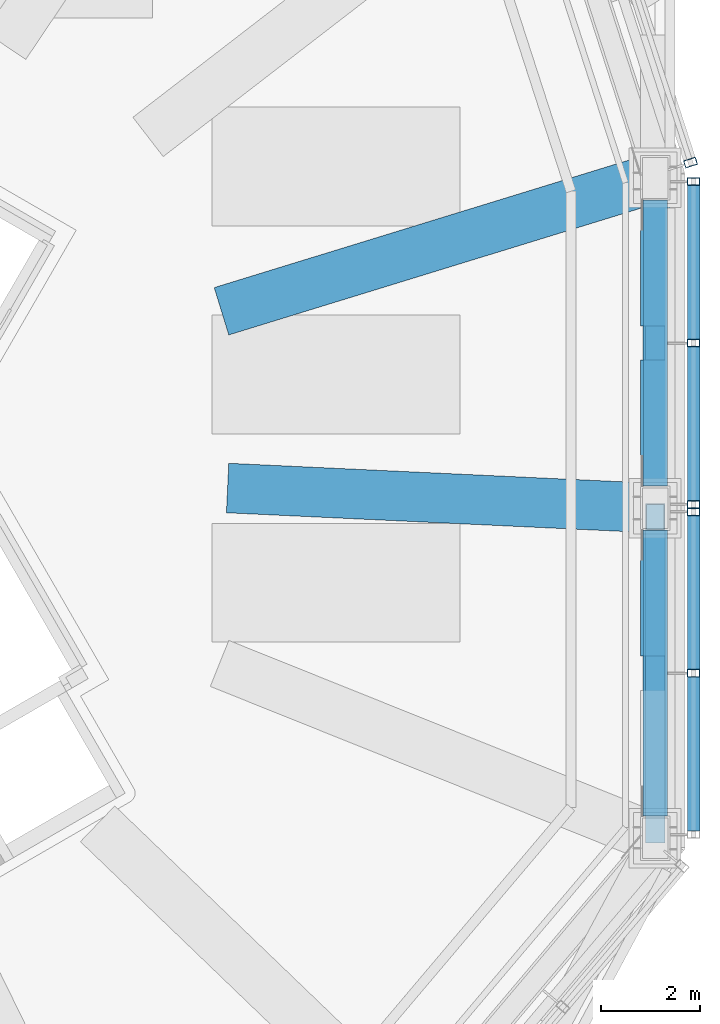
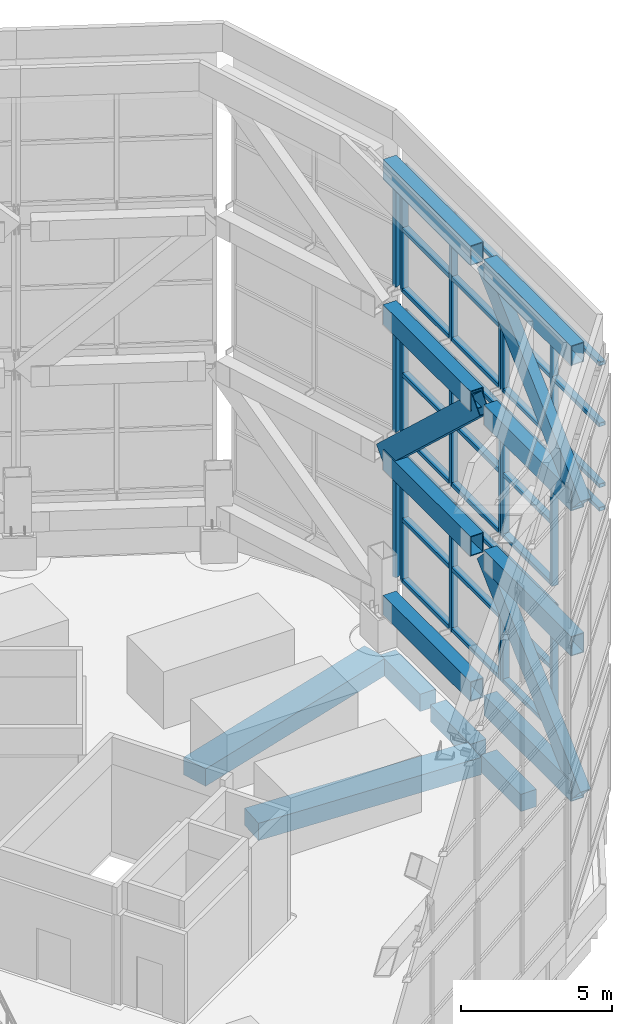
# One storey, part 10 of 46: 60 members, 5 beams, 9 elements without a shape of their own.
"""IFC4 building model written with IfcOpenShell, lengths in metres."""

from ifc_helpers import new_model, si_unit, direction, frame, origin, origin_2d, place, context, subcontext, project, spatial, rectangle, hollow_rectangle, extrude, material, material_profile, profile_set, type_object, element, aggregate, save


model = new_model("IFC4")

# Units and contexts
model_context = context("Model", 3, precision=1e-05, world=origin(), true_north=direction((0.0, 1.0)))
body_context = subcontext(model_context, "Body", "Model", "MODEL_VIEW")
ifc_project = project(units=[si_unit("LENGTHUNIT", "METRE"), si_unit("AREAUNIT", "SQUARE_METRE"), si_unit("VOLUMEUNIT", "CUBIC_METRE"), si_unit("PLANEANGLEUNIT", "RADIAN"), si_unit("MASSUNIT", "GRAM", prefix="KILO")], contexts=[model_context])

# Site, building, storey
site_placement = place(None, origin())
site = spatial("IfcSite", under=ifc_project, at=site_placement, CompositionType="ELEMENT")
building_placement = place(site_placement, origin())
building = spatial("IfcBuilding", under=site, at=building_placement, Name="Vanh Sen Convention Tower", CompositionType="ELEMENT")
storey_placement = place(building_placement, frame((0.0, 0.0, 305.0)))
storey = spatial("IfcBuildingStorey", under=building, at=storey_placement, Name="Roof level", CompositionType="ELEMENT", Elevation=305.0)

# Members
ifc_material_1 = material(Name="Steel S460", Category="steel")
ifc_material_profile_1 = material_profile(ifc_material_1, hollow_rectangle(XDim=0.39990234375, YDim=0.800048828125, WallThickness=0.02490234375, at=origin_2d()), Name="BOX 800X400X25")
ifc_profile_set_1 = profile_set([ifc_material_profile_1], Name="Steel S460")
member_type_1 = type_object("IfcMemberType", Name="Crown brace BOX 800X400X25", PredefinedType="BRACE", material=ifc_profile_set_1)
for number, where, z_axis, x_axis, name in (
    (1, (18.800048828125, -7.3662109375, 1.7451171875), (0.0, 0.731861793928, 0.681453090527), (-1.0, 0.0, 0.0), "CROWN FRAME brace tier 1 span 01"),
    (2, (18.800048828125, -0.702880859375, 13.481689453125), (0.0, 0.731847654389, -0.681468275685), (-1.0, 0.0, 0.0), "CROWN FRAME brace tier 2 span 02"),
    (3, (18.800048828125, -7.3662109375, 13.481689453125), (0.0, 0.731847654389, 0.681468275685), (-1.0, 0.0, 0.0), "CROWN FRAME brace tier 3 span 01"),
):
    element("IfcMember", number, at=place(storey_placement, frame(where, z_axis=z_axis, x_axis=x_axis)), inside=storey, type_object=member_type_1, Name=name, PredefinedType="BRACE", context=body_context, shape_type="SweptSolid", body=[
        extrude(hollow_rectangle(XDim=0.39990234375, YDim=0.800048828125, WallThickness=0.02490234375, at=origin_2d()), origin(), (0.0, 0.0, 1.0), 8.611328125),
    ])
ifc_material_profile_2 = material_profile(ifc_material_1, hollow_rectangle(XDim=0.5, YDim=0.800048828125, WallThickness=0.030029296875, at=origin_2d()), Name="BOX 800X500X30")
ifc_profile_set_2 = profile_set([ifc_material_profile_2], Name="Steel S460")
member_type_2 = type_object("IfcMemberType", Name="Crown ring beam BOX 800X500X30", PredefinedType="CHORD", material=ifc_profile_set_2)
for number, where, z_axis, x_axis, name in (
    (4, (18.800048828125, -7.101806640625, 1.7451171875), (0.0, 1.0, 0.0), (-1.0, 0.0, 0.0), "CROWN FRAME ring beam 1 span 01"),
    (5, (18.800048828125, -0.4384765625, 1.7451171875), (0.0, 1.0, 0.0), (-1.0, 0.0, 0.0), "CROWN FRAME ring beam 1 span 02"),
    (6, (18.800048828125, -7.101806640625, 7.61328125), (0.0, 1.0, 0.0), (-1.0, 0.0, 0.0), "CROWN FRAME ring beam 2 span 01"),
    (7, (18.800048828125, -0.4384765625, 7.61328125), (0.0, 1.0, 0.0), (-1.0, 0.0, 0.0), "CROWN FRAME ring beam 2 span 02"),
    (8, (18.800048828125, -7.101806640625, 13.481689453125), (0.0, 1.0, 0.0), (-1.0, 0.0, 0.0), "CROWN FRAME ring beam 3 span 01"),
    (9, (18.800048828125, -0.4384765625, 13.481689453125), (0.0, 1.0, 0.0), (-1.0, 0.0, 0.0), "CROWN FRAME ring beam 3 span 02"),
    (10, (18.800048828125, -7.101806640625, 19.35009765625), (0.0, 1.0, 0.0), (-1.0, 0.0, 0.0), "CROWN FRAME ring beam 4 span 01"),
    (11, (18.800048828125, -0.4384765625, 19.35009765625), (0.0, 1.0, 0.0), (-1.0, 0.0, 0.0), "CROWN FRAME ring beam 4 span 02"),
):
    element("IfcMember", number, at=place(storey_placement, frame(where, z_axis=z_axis, x_axis=x_axis)), inside=storey, type_object=member_type_2, Name=name, PredefinedType="CHORD", context=body_context, shape_type="SweptSolid", body=[
        extrude(hollow_rectangle(XDim=0.5, YDim=0.800048828125, WallThickness=0.030029296875, at=origin_2d()), origin(), (0.0, 0.0, 1.0), 5.7734375),
    ])

# Curtain wall, members
ifc_material_2 = material(Name="Concrete C60/75", Category="concrete")
curtain_wall_type = type_object("IfcCurtainWallType", Name="Crown screen", PredefinedType="NOTDEFINED", material=ifc_material_2)
curtain_wall_1_placement = place(storey_placement, origin())
curtain_wall_1 = element("IfcCurtainWall", 12, at=curtain_wall_1_placement, inside=storey, type_object=curtain_wall_type, Name="CROWN SCREEN 01 tier 1", PredefinedType="NOTDEFINED")
ifc_material_3 = material(Name="Steel S355", Category="steel")
ifc_material_profile_3 = material_profile(ifc_material_3, hollow_rectangle(XDim=0.25, YDim=0.14990234375, WallThickness=0.008056640625, at=origin_2d()), Name="RHS 250X150X8")
ifc_profile_set_3 = profile_set([ifc_material_profile_3], Name="Steel S355")
member_type_3 = type_object("IfcMemberType", Name="Crown screen mullion RHS 250X150X8", PredefinedType="MULLION", material=ifc_profile_set_3)
member_1_placement = place(storey_placement, frame((19.574951171875, -4.215087890625, 2.14501953125), z_axis=(0.0, 0.0, 1.0), x_axis=(-1.0, 0.0, 0.0)))
member_1 = element("IfcMember", 13, at=member_1_placement, type_object=member_type_3, Name="CROWN SCREEN6 mullion 2", PredefinedType="MULLION", context=body_context, shape_type="SweptSolid", body=[
    extrude(hollow_rectangle(XDim=0.25, YDim=0.14990234375, WallThickness=0.008056640625, at=origin_2d()), origin(), (0.0, 0.0, 1.0), 5.068359375),
])
member_2_placement = place(storey_placement, frame((19.574951171875, -0.95849609375, 2.14501953125), z_axis=(0.0, 0.0, 1.0), x_axis=(-1.0, 0.0, 0.0)))
member_2 = element("IfcMember", 14, at=member_2_placement, type_object=member_type_3, Name="CROWN SCREEN6 mullion 3", PredefinedType="MULLION", context=body_context, shape_type="SweptSolid", body=[
    extrude(hollow_rectangle(XDim=0.25, YDim=0.14990234375, WallThickness=0.008056640625, at=origin_2d()), origin(), (0.0, 0.0, 1.0), 5.068359375),
])

curtain_wall_2_placement = place(storey_placement, origin())
curtain_wall_2 = element("IfcCurtainWall", 15, at=curtain_wall_2_placement, inside=storey, type_object=curtain_wall_type, Name="CROWN SCREEN 01 tier 2", PredefinedType="NOTDEFINED")
member_3_placement = place(storey_placement, frame((19.574951171875, -4.215087890625, 8.01318359375), z_axis=(0.0, 0.0, 1.0), x_axis=(-1.0, 0.0, 0.0)))
member_3 = element("IfcMember", 16, at=member_3_placement, type_object=member_type_3, Name="CROWN SCREEN6 mullion 2", PredefinedType="MULLION", context=body_context, shape_type="SweptSolid", body=[
    extrude(hollow_rectangle(XDim=0.25, YDim=0.14990234375, WallThickness=0.008056640625, at=origin_2d()), origin(), (0.0, 0.0, 1.0), 5.068603515625),
])
member_4_placement = place(storey_placement, frame((19.574951171875, -0.95849609375, 8.01318359375), z_axis=(0.0, 0.0, 1.0), x_axis=(-1.0, 0.0, 0.0)))
member_4 = element("IfcMember", 17, at=member_4_placement, type_object=member_type_3, Name="CROWN SCREEN6 mullion 3", PredefinedType="MULLION", context=body_context, shape_type="SweptSolid", body=[
    extrude(hollow_rectangle(XDim=0.25, YDim=0.14990234375, WallThickness=0.008056640625, at=origin_2d()), origin(), (0.0, 0.0, 1.0), 5.068603515625),
])

curtain_wall_3_placement = place(storey_placement, origin())
curtain_wall_3 = element("IfcCurtainWall", 18, at=curtain_wall_3_placement, inside=storey, type_object=curtain_wall_type, Name="CROWN SCREEN 01 tier 3", PredefinedType="NOTDEFINED")
member_5_placement = place(storey_placement, frame((19.574951171875, -4.215087890625, 13.881591796875), z_axis=(0.0, 0.0, 1.0), x_axis=(-1.0, 0.0, 0.0)))
member_5 = element("IfcMember", 19, at=member_5_placement, type_object=member_type_3, Name="CROWN SCREEN6 mullion 2", PredefinedType="MULLION", context=body_context, shape_type="SweptSolid", body=[
    extrude(hollow_rectangle(XDim=0.25, YDim=0.14990234375, WallThickness=0.008056640625, at=origin_2d()), origin(), (0.0, 0.0, 1.0), 5.068359375),
])
member_6_placement = place(storey_placement, frame((19.574951171875, -0.95849609375, 13.881591796875), z_axis=(0.0, 0.0, 1.0), x_axis=(-1.0, 0.0, 0.0)))
member_6 = element("IfcMember", 20, at=member_6_placement, type_object=member_type_3, Name="CROWN SCREEN6 mullion 3", PredefinedType="MULLION", context=body_context, shape_type="SweptSolid", body=[
    extrude(hollow_rectangle(XDim=0.25, YDim=0.14990234375, WallThickness=0.008056640625, at=origin_2d()), origin(), (0.0, 0.0, 1.0), 5.068359375),
])

curtain_wall_4_placement = place(storey_placement, origin())
curtain_wall_4 = element("IfcCurtainWall", 21, at=curtain_wall_4_placement, inside=storey, type_object=curtain_wall_type, Name="CROWN SCREEN 02 tier 1", PredefinedType="NOTDEFINED")
member_7_placement = place(storey_placement, frame((19.574951171875, -0.808349609375, 2.14501953125), z_axis=(0.0, 0.0, 1.0), x_axis=(-1.0, 0.0, 0.0)))
member_7 = element("IfcMember", 22, at=member_7_placement, type_object=member_type_3, Name="CROWN SCREEN6 mullion 1", PredefinedType="MULLION", context=body_context, shape_type="SweptSolid", body=[
    extrude(hollow_rectangle(XDim=0.25, YDim=0.14990234375, WallThickness=0.008056640625, at=origin_2d()), origin(), (0.0, 0.0, 1.0), 5.068359375),
])
member_8_placement = place(storey_placement, frame((19.574951171875, 2.4482421875, 2.14501953125), z_axis=(0.0, 0.0, 1.0), x_axis=(-1.0, 0.0, 0.0)))
member_8 = element("IfcMember", 23, at=member_8_placement, type_object=member_type_3, Name="CROWN SCREEN6 mullion 2", PredefinedType="MULLION", context=body_context, shape_type="SweptSolid", body=[
    extrude(hollow_rectangle(XDim=0.25, YDim=0.14990234375, WallThickness=0.008056640625, at=origin_2d()), origin(), (0.0, 0.0, 1.0), 5.068359375),
])
member_9_placement = place(storey_placement, frame((19.574951171875, 5.704833984375, 2.14501953125), z_axis=(0.0, 0.0, 1.0), x_axis=(-1.0, 0.0, 0.0)))
member_9 = element("IfcMember", 24, at=member_9_placement, type_object=member_type_3, Name="CROWN SCREEN6 mullion 3", PredefinedType="MULLION", context=body_context, shape_type="SweptSolid", body=[
    extrude(hollow_rectangle(XDim=0.25, YDim=0.14990234375, WallThickness=0.008056640625, at=origin_2d()), origin(), (0.0, 0.0, 1.0), 5.068359375),
])

curtain_wall_5_placement = place(storey_placement, origin())
curtain_wall_5 = element("IfcCurtainWall", 25, at=curtain_wall_5_placement, inside=storey, type_object=curtain_wall_type, Name="CROWN SCREEN 02 tier 2", PredefinedType="NOTDEFINED")
member_10_placement = place(storey_placement, frame((19.574951171875, -0.808349609375, 8.01318359375), z_axis=(0.0, 0.0, 1.0), x_axis=(-1.0, 0.0, 0.0)))
member_10 = element("IfcMember", 26, at=member_10_placement, type_object=member_type_3, Name="CROWN SCREEN6 mullion 1", PredefinedType="MULLION", context=body_context, shape_type="SweptSolid", body=[
    extrude(hollow_rectangle(XDim=0.25, YDim=0.14990234375, WallThickness=0.008056640625, at=origin_2d()), origin(), (0.0, 0.0, 1.0), 5.068603515625),
])
member_11_placement = place(storey_placement, frame((19.574951171875, 2.4482421875, 8.01318359375), z_axis=(0.0, 0.0, 1.0), x_axis=(-1.0, 0.0, 0.0)))
member_11 = element("IfcMember", 27, at=member_11_placement, type_object=member_type_3, Name="CROWN SCREEN6 mullion 2", PredefinedType="MULLION", context=body_context, shape_type="SweptSolid", body=[
    extrude(hollow_rectangle(XDim=0.25, YDim=0.14990234375, WallThickness=0.008056640625, at=origin_2d()), origin(), (0.0, 0.0, 1.0), 5.068603515625),
])
member_12_placement = place(storey_placement, frame((19.574951171875, 5.704833984375, 8.01318359375), z_axis=(0.0, 0.0, 1.0), x_axis=(-1.0, 0.0, 0.0)))
member_12 = element("IfcMember", 28, at=member_12_placement, type_object=member_type_3, Name="CROWN SCREEN6 mullion 3", PredefinedType="MULLION", context=body_context, shape_type="SweptSolid", body=[
    extrude(hollow_rectangle(XDim=0.25, YDim=0.14990234375, WallThickness=0.008056640625, at=origin_2d()), origin(), (0.0, 0.0, 1.0), 5.068603515625),
])

curtain_wall_6_placement = place(storey_placement, origin())
curtain_wall_6 = element("IfcCurtainWall", 29, at=curtain_wall_6_placement, inside=storey, type_object=curtain_wall_type, Name="CROWN SCREEN 02 tier 3", PredefinedType="NOTDEFINED")
member_13_placement = place(storey_placement, frame((19.574951171875, -0.808349609375, 13.881591796875), z_axis=(0.0, 0.0, 1.0), x_axis=(-1.0, 0.0, 0.0)))
member_13 = element("IfcMember", 30, at=member_13_placement, type_object=member_type_3, Name="CROWN SCREEN6 mullion 1", PredefinedType="MULLION", context=body_context, shape_type="SweptSolid", body=[
    extrude(hollow_rectangle(XDim=0.25, YDim=0.14990234375, WallThickness=0.008056640625, at=origin_2d()), origin(), (0.0, 0.0, 1.0), 5.068359375),
])
member_14_placement = place(storey_placement, frame((19.574951171875, 2.4482421875, 13.881591796875), z_axis=(0.0, 0.0, 1.0), x_axis=(-1.0, 0.0, 0.0)))
member_14 = element("IfcMember", 31, at=member_14_placement, type_object=member_type_3, Name="CROWN SCREEN6 mullion 2", PredefinedType="MULLION", context=body_context, shape_type="SweptSolid", body=[
    extrude(hollow_rectangle(XDim=0.25, YDim=0.14990234375, WallThickness=0.008056640625, at=origin_2d()), origin(), (0.0, 0.0, 1.0), 5.068359375),
])
member_15_placement = place(storey_placement, frame((19.574951171875, 5.704833984375, 13.881591796875), z_axis=(0.0, 0.0, 1.0), x_axis=(-1.0, 0.0, 0.0)))
member_15 = element("IfcMember", 32, at=member_15_placement, type_object=member_type_3, Name="CROWN SCREEN6 mullion 3", PredefinedType="MULLION", context=body_context, shape_type="SweptSolid", body=[
    extrude(hollow_rectangle(XDim=0.25, YDim=0.14990234375, WallThickness=0.008056640625, at=origin_2d()), origin(), (0.0, 0.0, 1.0), 5.068359375),
])

# Curtain wall, member
curtain_wall_7_placement = place(storey_placement, origin())
curtain_wall_7 = element("IfcCurtainWall", 33, at=curtain_wall_7_placement, inside=storey, type_object=curtain_wall_type, Name="CROWN SCREEN 03 tier 1", PredefinedType="NOTDEFINED")
member_16_placement = place(storey_placement, frame((19.514404296875, 6.08984375, 2.14501953125), z_axis=(0.0, 0.0, 1.0), x_axis=(-0.951472815638, -0.307732807972, 0.0)))
member_16 = element("IfcMember", 34, at=member_16_placement, type_object=member_type_3, Name="CROWN SCREEN6 mullion 1", PredefinedType="MULLION", context=body_context, shape_type="SweptSolid", body=[
    extrude(hollow_rectangle(XDim=0.25, YDim=0.14990234375, WallThickness=0.008056640625, at=origin_2d()), origin(), (0.0, 0.0, 1.0), 5.068359375),
])
aggregate(curtain_wall_7, [member_16])

curtain_wall_8_placement = place(storey_placement, origin())
curtain_wall_8 = element("IfcCurtainWall", 35, at=curtain_wall_8_placement, inside=storey, type_object=curtain_wall_type, Name="CROWN SCREEN 03 tier 2", PredefinedType="NOTDEFINED")
member_17_placement = place(storey_placement, frame((19.514404296875, 6.08984375, 8.01318359375), z_axis=(0.0, 0.0, 1.0), x_axis=(-0.951472815638, -0.307732807972, 0.0)))
member_17 = element("IfcMember", 36, at=member_17_placement, type_object=member_type_3, Name="CROWN SCREEN6 mullion 1", PredefinedType="MULLION", context=body_context, shape_type="SweptSolid", body=[
    extrude(hollow_rectangle(XDim=0.25, YDim=0.14990234375, WallThickness=0.008056640625, at=origin_2d()), origin(), (0.0, 0.0, 1.0), 5.068603515625),
])
aggregate(curtain_wall_8, [member_17])

curtain_wall_9_placement = place(storey_placement, origin())
curtain_wall_9 = element("IfcCurtainWall", 37, at=curtain_wall_9_placement, inside=storey, type_object=curtain_wall_type, Name="CROWN SCREEN 03 tier 3", PredefinedType="NOTDEFINED")
member_18_placement = place(storey_placement, frame((19.514404296875, 6.08984375, 13.881591796875), z_axis=(0.0, 0.0, 1.0), x_axis=(-0.951472815638, -0.307732807972, 0.0)))
member_18 = element("IfcMember", 38, at=member_18_placement, type_object=member_type_3, Name="CROWN SCREEN6 mullion 1", PredefinedType="MULLION", context=body_context, shape_type="SweptSolid", body=[
    extrude(hollow_rectangle(XDim=0.25, YDim=0.14990234375, WallThickness=0.008056640625, at=origin_2d()), origin(), (0.0, 0.0, 1.0), 5.068359375),
])
aggregate(curtain_wall_9, [member_18])

# Member
ifc_material_profile_4 = material_profile(ifc_material_3, hollow_rectangle(XDim=0.25, YDim=0.14990234375, WallThickness=0.008056640625, at=origin_2d()), Name="RHS 250X150X8")
ifc_profile_set_4 = profile_set([ifc_material_profile_4], Name="Steel S355")
member_type_4 = type_object("IfcMemberType", Name="Crown screen transom RHS 250X150X8", PredefinedType="USERDEFINED", material=ifc_profile_set_4)
member_19_placement = place(storey_placement, frame((19.574951171875, -4.14013671875, 2.219970703125), z_axis=(0.0, 1.0, 0.0), x_axis=(-1.0, 0.0, 0.0)))
member_19 = element("IfcMember", 39, at=member_19_placement, type_object=member_type_4, Name="CROWN SCREEN6 transom 2.1", ObjectType="TRANSOM", PredefinedType="USERDEFINED", context=body_context, shape_type="SweptSolid", body=[
    extrude(hollow_rectangle(XDim=0.25, YDim=0.14990234375, WallThickness=0.008056640625, at=origin_2d()), origin(), (0.0, 0.0, 1.0), 3.106689453125),
])

member_20_placement = place(storey_placement, frame((19.574951171875, -4.14013671875, 4.67919921875), z_axis=(0.0, 1.0, 0.0), x_axis=(-1.0, 0.0, 0.0)))
member_20 = element("IfcMember", 40, at=member_20_placement, type_object=member_type_4, Name="CROWN SCREEN6 transom 2.2", ObjectType="TRANSOM", PredefinedType="USERDEFINED", context=body_context, shape_type="SweptSolid", body=[
    extrude(hollow_rectangle(XDim=0.25, YDim=0.14990234375, WallThickness=0.008056640625, at=origin_2d()), origin(), (0.0, 0.0, 1.0), 3.106689453125),
])

member_21_placement = place(storey_placement, frame((19.574951171875, -4.14013671875, 7.13818359375), z_axis=(0.0, 1.0, 0.0), x_axis=(-1.0, 0.0, 0.0)))
member_21 = element("IfcMember", 41, at=member_21_placement, type_object=member_type_4, Name="CROWN SCREEN6 transom 2.3", ObjectType="TRANSOM", PredefinedType="USERDEFINED", context=body_context, shape_type="SweptSolid", body=[
    extrude(hollow_rectangle(XDim=0.25, YDim=0.14990234375, WallThickness=0.008056640625, at=origin_2d()), origin(), (0.0, 0.0, 1.0), 3.106689453125),
])

aggregate(curtain_wall_1, [member_1, member_2, member_19, member_20, member_21])

member_22_placement = place(storey_placement, frame((19.574951171875, -7.396728515625, 13.006591796875), z_axis=(0.0, 1.0, 0.0), x_axis=(-1.0, 0.0, 0.0)))
member_22 = element("IfcMember", 42, at=member_22_placement, type_object=member_type_4, Name="CROWN SCREEN6 transom 1.3", ObjectType="TRANSOM", PredefinedType="USERDEFINED", context=body_context, shape_type="SweptSolid", body=[
    extrude(hollow_rectangle(XDim=0.25, YDim=0.14990234375, WallThickness=0.008056640625, at=origin_2d()), origin(), (0.0, 0.0, 1.0), 3.106689453125),
])

member_23_placement = place(storey_placement, frame((19.574951171875, -4.14013671875, 8.08837890625), z_axis=(0.0, 1.0, 0.0), x_axis=(-1.0, 0.0, 0.0)))
member_23 = element("IfcMember", 43, at=member_23_placement, type_object=member_type_4, Name="CROWN SCREEN6 transom 2.1", ObjectType="TRANSOM", PredefinedType="USERDEFINED", context=body_context, shape_type="SweptSolid", body=[
    extrude(hollow_rectangle(XDim=0.25, YDim=0.14990234375, WallThickness=0.008056640625, at=origin_2d()), origin(), (0.0, 0.0, 1.0), 3.106689453125),
])

member_24_placement = place(storey_placement, frame((19.574951171875, -4.14013671875, 10.547607421875), z_axis=(0.0, 1.0, 0.0), x_axis=(-1.0, 0.0, 0.0)))
member_24 = element("IfcMember", 44, at=member_24_placement, type_object=member_type_4, Name="CROWN SCREEN6 transom 2.2", ObjectType="TRANSOM", PredefinedType="USERDEFINED", context=body_context, shape_type="SweptSolid", body=[
    extrude(hollow_rectangle(XDim=0.25, YDim=0.14990234375, WallThickness=0.008056640625, at=origin_2d()), origin(), (0.0, 0.0, 1.0), 3.106689453125),
])

member_25_placement = place(storey_placement, frame((19.574951171875, -4.14013671875, 13.006591796875), z_axis=(0.0, 1.0, 0.0), x_axis=(-1.0, 0.0, 0.0)))
member_25 = element("IfcMember", 45, at=member_25_placement, type_object=member_type_4, Name="CROWN SCREEN6 transom 2.3", ObjectType="TRANSOM", PredefinedType="USERDEFINED", context=body_context, shape_type="SweptSolid", body=[
    extrude(hollow_rectangle(XDim=0.25, YDim=0.14990234375, WallThickness=0.008056640625, at=origin_2d()), origin(), (0.0, 0.0, 1.0), 3.106689453125),
])

aggregate(curtain_wall_2, [member_3, member_4, member_22, member_23, member_24, member_25])

member_26_placement = place(storey_placement, frame((19.574951171875, -7.396728515625, 13.956787109375), z_axis=(0.0, 1.0, 0.0), x_axis=(-1.0, 0.0, 0.0)))
member_26 = element("IfcMember", 46, at=member_26_placement, type_object=member_type_4, Name="CROWN SCREEN6 transom 1.1", ObjectType="TRANSOM", PredefinedType="USERDEFINED", context=body_context, shape_type="SweptSolid", body=[
    extrude(hollow_rectangle(XDim=0.25, YDim=0.14990234375, WallThickness=0.008056640625, at=origin_2d()), origin(), (0.0, 0.0, 1.0), 3.106689453125),
])

member_27_placement = place(storey_placement, frame((19.574951171875, -7.396728515625, 16.415771484375), z_axis=(0.0, 1.0, 0.0), x_axis=(-1.0, 0.0, 0.0)))
member_27 = element("IfcMember", 47, at=member_27_placement, type_object=member_type_4, Name="CROWN SCREEN6 transom 1.2", ObjectType="TRANSOM", PredefinedType="USERDEFINED", context=body_context, shape_type="SweptSolid", body=[
    extrude(hollow_rectangle(XDim=0.25, YDim=0.14990234375, WallThickness=0.008056640625, at=origin_2d()), origin(), (0.0, 0.0, 1.0), 3.106689453125),
])

member_28_placement = place(storey_placement, frame((19.574951171875, -7.396728515625, 18.875), z_axis=(0.0, 1.0, 0.0), x_axis=(-1.0, 0.0, 0.0)))
member_28 = element("IfcMember", 48, at=member_28_placement, type_object=member_type_4, Name="CROWN SCREEN6 transom 1.3", ObjectType="TRANSOM", PredefinedType="USERDEFINED", context=body_context, shape_type="SweptSolid", body=[
    extrude(hollow_rectangle(XDim=0.25, YDim=0.14990234375, WallThickness=0.008056640625, at=origin_2d()), origin(), (0.0, 0.0, 1.0), 3.106689453125),
])

member_29_placement = place(storey_placement, frame((19.574951171875, -4.14013671875, 13.956787109375), z_axis=(0.0, 1.0, 0.0), x_axis=(-1.0, 0.0, 0.0)))
member_29 = element("IfcMember", 49, at=member_29_placement, type_object=member_type_4, Name="CROWN SCREEN6 transom 2.1", ObjectType="TRANSOM", PredefinedType="USERDEFINED", context=body_context, shape_type="SweptSolid", body=[
    extrude(hollow_rectangle(XDim=0.25, YDim=0.14990234375, WallThickness=0.008056640625, at=origin_2d()), origin(), (0.0, 0.0, 1.0), 3.106689453125),
])

member_30_placement = place(storey_placement, frame((19.574951171875, -4.14013671875, 16.415771484375), z_axis=(0.0, 1.0, 0.0), x_axis=(-1.0, 0.0, 0.0)))
member_30 = element("IfcMember", 50, at=member_30_placement, type_object=member_type_4, Name="CROWN SCREEN6 transom 2.2", ObjectType="TRANSOM", PredefinedType="USERDEFINED", context=body_context, shape_type="SweptSolid", body=[
    extrude(hollow_rectangle(XDim=0.25, YDim=0.14990234375, WallThickness=0.008056640625, at=origin_2d()), origin(), (0.0, 0.0, 1.0), 3.106689453125),
])

member_31_placement = place(storey_placement, frame((19.574951171875, -4.14013671875, 18.875), z_axis=(0.0, 1.0, 0.0), x_axis=(-1.0, 0.0, 0.0)))
member_31 = element("IfcMember", 51, at=member_31_placement, type_object=member_type_4, Name="CROWN SCREEN6 transom 2.3", ObjectType="TRANSOM", PredefinedType="USERDEFINED", context=body_context, shape_type="SweptSolid", body=[
    extrude(hollow_rectangle(XDim=0.25, YDim=0.14990234375, WallThickness=0.008056640625, at=origin_2d()), origin(), (0.0, 0.0, 1.0), 3.106689453125),
])

aggregate(curtain_wall_3, [member_5, member_6, member_26, member_27, member_28, member_29, member_30, member_31])

member_32_placement = place(storey_placement, frame((19.574951171875, -0.7333984375, 2.219970703125), z_axis=(0.0, 1.0, 0.0), x_axis=(-1.0, 0.0, 0.0)))
member_32 = element("IfcMember", 52, at=member_32_placement, type_object=member_type_4, Name="CROWN SCREEN6 transom 1.1", ObjectType="TRANSOM", PredefinedType="USERDEFINED", context=body_context, shape_type="SweptSolid", body=[
    extrude(hollow_rectangle(XDim=0.25, YDim=0.14990234375, WallThickness=0.008056640625, at=origin_2d()), origin(), (0.0, 0.0, 1.0), 3.106689453125),
])

member_33_placement = place(storey_placement, frame((19.574951171875, -0.7333984375, 4.67919921875), z_axis=(0.0, 1.0, 0.0), x_axis=(-1.0, 0.0, 0.0)))
member_33 = element("IfcMember", 53, at=member_33_placement, type_object=member_type_4, Name="CROWN SCREEN6 transom 1.2", ObjectType="TRANSOM", PredefinedType="USERDEFINED", context=body_context, shape_type="SweptSolid", body=[
    extrude(hollow_rectangle(XDim=0.25, YDim=0.14990234375, WallThickness=0.008056640625, at=origin_2d()), origin(), (0.0, 0.0, 1.0), 3.106689453125),
])

member_34_placement = place(storey_placement, frame((19.574951171875, -0.7333984375, 7.13818359375), z_axis=(0.0, 1.0, 0.0), x_axis=(-1.0, 0.0, 0.0)))
member_34 = element("IfcMember", 54, at=member_34_placement, type_object=member_type_4, Name="CROWN SCREEN6 transom 1.3", ObjectType="TRANSOM", PredefinedType="USERDEFINED", context=body_context, shape_type="SweptSolid", body=[
    extrude(hollow_rectangle(XDim=0.25, YDim=0.14990234375, WallThickness=0.008056640625, at=origin_2d()), origin(), (0.0, 0.0, 1.0), 3.106689453125),
])

member_35_placement = place(storey_placement, frame((19.574951171875, 2.523193359375, 2.219970703125), z_axis=(0.0, 1.0, 0.0), x_axis=(-1.0, 0.0, 0.0)))
member_35 = element("IfcMember", 55, at=member_35_placement, type_object=member_type_4, Name="CROWN SCREEN6 transom 2.1", ObjectType="TRANSOM", PredefinedType="USERDEFINED", context=body_context, shape_type="SweptSolid", body=[
    extrude(hollow_rectangle(XDim=0.25, YDim=0.14990234375, WallThickness=0.008056640625, at=origin_2d()), origin(), (0.0, 0.0, 1.0), 3.106689453125),
])

member_36_placement = place(storey_placement, frame((19.574951171875, 2.523193359375, 4.67919921875), z_axis=(0.0, 1.0, 0.0), x_axis=(-1.0, 0.0, 0.0)))
member_36 = element("IfcMember", 56, at=member_36_placement, type_object=member_type_4, Name="CROWN SCREEN6 transom 2.2", ObjectType="TRANSOM", PredefinedType="USERDEFINED", context=body_context, shape_type="SweptSolid", body=[
    extrude(hollow_rectangle(XDim=0.25, YDim=0.14990234375, WallThickness=0.008056640625, at=origin_2d()), origin(), (0.0, 0.0, 1.0), 3.106689453125),
])

member_37_placement = place(storey_placement, frame((19.574951171875, 2.523193359375, 7.13818359375), z_axis=(0.0, 1.0, 0.0), x_axis=(-1.0, 0.0, 0.0)))
member_37 = element("IfcMember", 57, at=member_37_placement, type_object=member_type_4, Name="CROWN SCREEN6 transom 2.3", ObjectType="TRANSOM", PredefinedType="USERDEFINED", context=body_context, shape_type="SweptSolid", body=[
    extrude(hollow_rectangle(XDim=0.25, YDim=0.14990234375, WallThickness=0.008056640625, at=origin_2d()), origin(), (0.0, 0.0, 1.0), 3.106689453125),
])

aggregate(curtain_wall_4, [member_7, member_8, member_9, member_32, member_33, member_34, member_35, member_36, member_37])

member_38_placement = place(storey_placement, frame((19.574951171875, -0.7333984375, 8.08837890625), z_axis=(0.0, 1.0, 0.0), x_axis=(-1.0, 0.0, 0.0)))
member_38 = element("IfcMember", 58, at=member_38_placement, type_object=member_type_4, Name="CROWN SCREEN6 transom 1.1", ObjectType="TRANSOM", PredefinedType="USERDEFINED", context=body_context, shape_type="SweptSolid", body=[
    extrude(hollow_rectangle(XDim=0.25, YDim=0.14990234375, WallThickness=0.008056640625, at=origin_2d()), origin(), (0.0, 0.0, 1.0), 3.106689453125),
])

member_39_placement = place(storey_placement, frame((19.574951171875, -0.7333984375, 10.547607421875), z_axis=(0.0, 1.0, 0.0), x_axis=(-1.0, 0.0, 0.0)))
member_39 = element("IfcMember", 59, at=member_39_placement, type_object=member_type_4, Name="CROWN SCREEN6 transom 1.2", ObjectType="TRANSOM", PredefinedType="USERDEFINED", context=body_context, shape_type="SweptSolid", body=[
    extrude(hollow_rectangle(XDim=0.25, YDim=0.14990234375, WallThickness=0.008056640625, at=origin_2d()), origin(), (0.0, 0.0, 1.0), 3.106689453125),
])

member_40_placement = place(storey_placement, frame((19.574951171875, -0.7333984375, 13.006591796875), z_axis=(0.0, 1.0, 0.0), x_axis=(-1.0, 0.0, 0.0)))
member_40 = element("IfcMember", 60, at=member_40_placement, type_object=member_type_4, Name="CROWN SCREEN6 transom 1.3", ObjectType="TRANSOM", PredefinedType="USERDEFINED", context=body_context, shape_type="SweptSolid", body=[
    extrude(hollow_rectangle(XDim=0.25, YDim=0.14990234375, WallThickness=0.008056640625, at=origin_2d()), origin(), (0.0, 0.0, 1.0), 3.106689453125),
])

member_41_placement = place(storey_placement, frame((19.574951171875, 2.523193359375, 8.08837890625), z_axis=(0.0, 1.0, 0.0), x_axis=(-1.0, 0.0, 0.0)))
member_41 = element("IfcMember", 61, at=member_41_placement, type_object=member_type_4, Name="CROWN SCREEN6 transom 2.1", ObjectType="TRANSOM", PredefinedType="USERDEFINED", context=body_context, shape_type="SweptSolid", body=[
    extrude(hollow_rectangle(XDim=0.25, YDim=0.14990234375, WallThickness=0.008056640625, at=origin_2d()), origin(), (0.0, 0.0, 1.0), 3.106689453125),
])

member_42_placement = place(storey_placement, frame((19.574951171875, 2.523193359375, 10.547607421875), z_axis=(0.0, 1.0, 0.0), x_axis=(-1.0, 0.0, 0.0)))
member_42 = element("IfcMember", 62, at=member_42_placement, type_object=member_type_4, Name="CROWN SCREEN6 transom 2.2", ObjectType="TRANSOM", PredefinedType="USERDEFINED", context=body_context, shape_type="SweptSolid", body=[
    extrude(hollow_rectangle(XDim=0.25, YDim=0.14990234375, WallThickness=0.008056640625, at=origin_2d()), origin(), (0.0, 0.0, 1.0), 3.106689453125),
])

member_43_placement = place(storey_placement, frame((19.574951171875, 2.523193359375, 13.006591796875), z_axis=(0.0, 1.0, 0.0), x_axis=(-1.0, 0.0, 0.0)))
member_43 = element("IfcMember", 63, at=member_43_placement, type_object=member_type_4, Name="CROWN SCREEN6 transom 2.3", ObjectType="TRANSOM", PredefinedType="USERDEFINED", context=body_context, shape_type="SweptSolid", body=[
    extrude(hollow_rectangle(XDim=0.25, YDim=0.14990234375, WallThickness=0.008056640625, at=origin_2d()), origin(), (0.0, 0.0, 1.0), 3.106689453125),
])

aggregate(curtain_wall_5, [member_10, member_11, member_12, member_38, member_39, member_40, member_41, member_42, member_43])

member_44_placement = place(storey_placement, frame((19.574951171875, -0.7333984375, 13.956787109375), z_axis=(0.0, 1.0, 0.0), x_axis=(-1.0, 0.0, 0.0)))
member_44 = element("IfcMember", 64, at=member_44_placement, type_object=member_type_4, Name="CROWN SCREEN6 transom 1.1", ObjectType="TRANSOM", PredefinedType="USERDEFINED", context=body_context, shape_type="SweptSolid", body=[
    extrude(hollow_rectangle(XDim=0.25, YDim=0.14990234375, WallThickness=0.008056640625, at=origin_2d()), origin(), (0.0, 0.0, 1.0), 3.106689453125),
])

member_45_placement = place(storey_placement, frame((19.574951171875, -0.7333984375, 16.415771484375), z_axis=(0.0, 1.0, 0.0), x_axis=(-1.0, 0.0, 0.0)))
member_45 = element("IfcMember", 65, at=member_45_placement, type_object=member_type_4, Name="CROWN SCREEN6 transom 1.2", ObjectType="TRANSOM", PredefinedType="USERDEFINED", context=body_context, shape_type="SweptSolid", body=[
    extrude(hollow_rectangle(XDim=0.25, YDim=0.14990234375, WallThickness=0.008056640625, at=origin_2d()), origin(), (0.0, 0.0, 1.0), 3.106689453125),
])

member_46_placement = place(storey_placement, frame((19.574951171875, -0.7333984375, 18.875), z_axis=(0.0, 1.0, 0.0), x_axis=(-1.0, 0.0, 0.0)))
member_46 = element("IfcMember", 66, at=member_46_placement, type_object=member_type_4, Name="CROWN SCREEN6 transom 1.3", ObjectType="TRANSOM", PredefinedType="USERDEFINED", context=body_context, shape_type="SweptSolid", body=[
    extrude(hollow_rectangle(XDim=0.25, YDim=0.14990234375, WallThickness=0.008056640625, at=origin_2d()), origin(), (0.0, 0.0, 1.0), 3.106689453125),
])

member_47_placement = place(storey_placement, frame((19.574951171875, 2.523193359375, 13.956787109375), z_axis=(0.0, 1.0, 0.0), x_axis=(-1.0, 0.0, 0.0)))
member_47 = element("IfcMember", 67, at=member_47_placement, type_object=member_type_4, Name="CROWN SCREEN6 transom 2.1", ObjectType="TRANSOM", PredefinedType="USERDEFINED", context=body_context, shape_type="SweptSolid", body=[
    extrude(hollow_rectangle(XDim=0.25, YDim=0.14990234375, WallThickness=0.008056640625, at=origin_2d()), origin(), (0.0, 0.0, 1.0), 3.106689453125),
])

member_48_placement = place(storey_placement, frame((19.574951171875, 2.523193359375, 16.415771484375), z_axis=(0.0, 1.0, 0.0), x_axis=(-1.0, 0.0, 0.0)))
member_48 = element("IfcMember", 68, at=member_48_placement, type_object=member_type_4, Name="CROWN SCREEN6 transom 2.2", ObjectType="TRANSOM", PredefinedType="USERDEFINED", context=body_context, shape_type="SweptSolid", body=[
    extrude(hollow_rectangle(XDim=0.25, YDim=0.14990234375, WallThickness=0.008056640625, at=origin_2d()), origin(), (0.0, 0.0, 1.0), 3.106689453125),
])

member_49_placement = place(storey_placement, frame((19.574951171875, 2.523193359375, 18.875), z_axis=(0.0, 1.0, 0.0), x_axis=(-1.0, 0.0, 0.0)))
member_49 = element("IfcMember", 69, at=member_49_placement, type_object=member_type_4, Name="CROWN SCREEN6 transom 2.3", ObjectType="TRANSOM", PredefinedType="USERDEFINED", context=body_context, shape_type="SweptSolid", body=[
    extrude(hollow_rectangle(XDim=0.25, YDim=0.14990234375, WallThickness=0.008056640625, at=origin_2d()), origin(), (0.0, 0.0, 1.0), 3.106689453125),
])

aggregate(curtain_wall_6, [member_13, member_14, member_15, member_44, member_45, member_46, member_47, member_48, member_49])

# Beams
ifc_material_4 = material(Name="Concrete C50/60", Category="concrete")
ifc_material_profile_5 = material_profile(ifc_material_4, rectangle(XDim=1.0, YDim=0.699951171875, at=origin_2d()), Name="RC 1000X700")
ifc_profile_set_5 = profile_set([ifc_material_profile_5], Name="Concrete C50/60")
beam_type_1 = type_object("IfcBeamType", Name="Radial floor beam 1000 x 700", PredefinedType="BEAM", material=ifc_profile_set_5)
beam_1_placement = place(storey_placement, frame((18.455078125, -0.8671875, -0.64990234375), z_axis=(-0.998898306547, 0.046927318026, 0.0), x_axis=(-0.046927318026, -0.998898306547, 0.0)))
element("IfcBeam", 70, at=beam_1_placement, inside=storey, type_object=beam_type_1, Name="Radial beam 02 Roof level", PredefinedType="BEAM", context=body_context, shape_type="SweptSolid", body=[
    extrude(rectangle(XDim=1.0, YDim=0.699951171875, at=origin_2d()), origin(), (0.0, 0.0, 1.0), 8.292724609375),
])
beam_2_placement = place(storey_placement, frame((18.454833984375, 5.673828125, -0.64990234375), z_axis=(-0.955847406594, -0.293863463718, 0.0), x_axis=(0.293863463718, -0.955847406594, 0.0)))
element("IfcBeam", 71, at=beam_2_placement, inside=storey, type_object=beam_type_1, Name="Radial beam 03 Roof level", PredefinedType="BEAM", context=body_context, shape_type="SweptSolid", body=[
    extrude(rectangle(XDim=1.0, YDim=0.699951171875, at=origin_2d()), origin(), (0.0, 0.0, 1.0), 8.794921875),
])
ifc_material_profile_6 = material_profile(ifc_material_4, rectangle(XDim=0.60009765625, YDim=0.699951171875, at=origin_2d()), Name="RC 600X700")
ifc_profile_set_6 = profile_set([ifc_material_profile_6], Name="Concrete C50/60")
beam_type_2 = type_object("IfcBeamType", Name="Spandrel beam 600 x 700", PredefinedType="SPANDREL", material=ifc_profile_set_6)
for number, where, z_axis, x_axis, name in (
    (72, (18.800048828125, -3.8701171875, -0.64990234375), (0.0, 1.0, 0.0), (-1.0, 0.0, 0.0), "Spandrel beam 02 Roof level"),
    (73, (18.800048828125, -0.538330078125, -0.64990234375), (0.0, 1.0, 0.0), (-1.0, 0.0, 0.0), "Spandrel beam 03 Roof level"),
    (74, (18.800048828125, 2.793212890625, -0.64990234375), (0.0, 1.0, 0.0), (-1.0, 0.0, 0.0), "Spandrel beam 04 Roof level"),
):
    element("IfcBeam", number, at=place(storey_placement, frame(where, z_axis=z_axis, x_axis=x_axis)), inside=storey, type_object=beam_type_2, Name=name, PredefinedType="SPANDREL", context=body_context, shape_type="SweptSolid", body=[
        extrude(rectangle(XDim=0.60009765625, YDim=0.699951171875, at=origin_2d()), origin(), (0.0, 0.0, 1.0), 2.6416015625),
    ])

save(model, "model.ifc")
